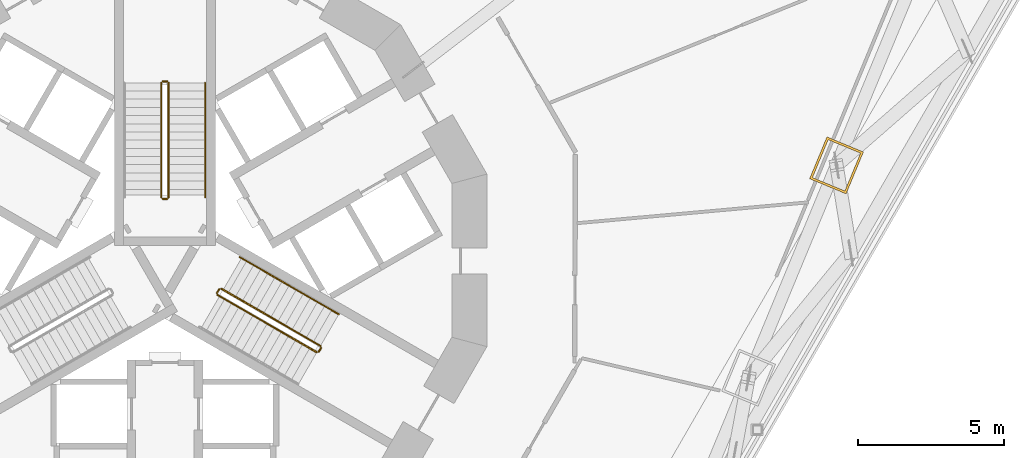
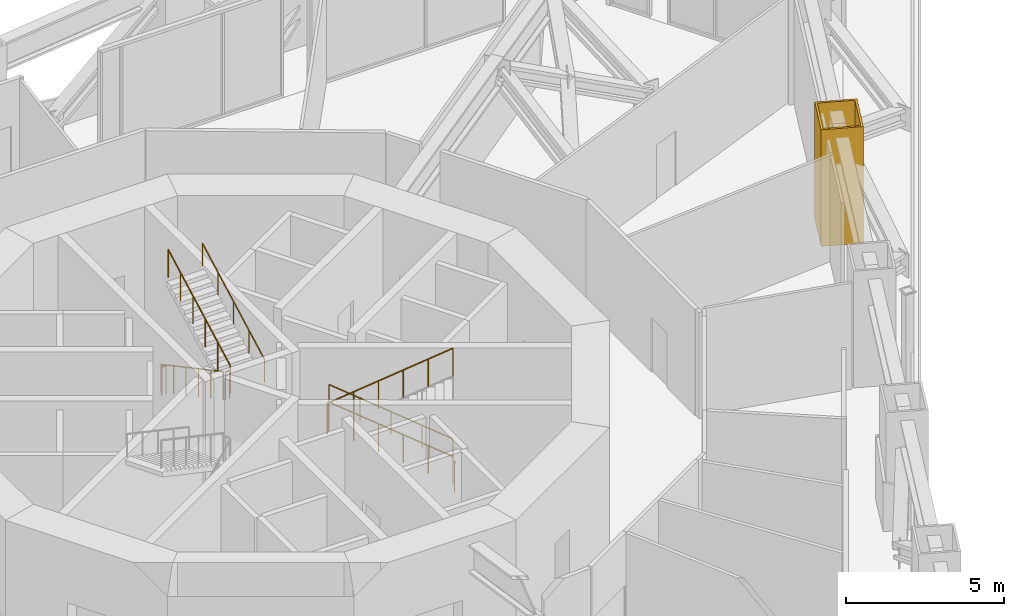
# One storey, part 26 of 28: 11 railings, 1 covering.
"""IFC4 building model written with IfcOpenShell, lengths in metres."""

from ifc_helpers import new_model, si_unit, direction, frame, origin, origin_2d, place, context, subcontext, project, spatial, polyline, circle, outline, extrude, material, layer, layer_set, type_object, element, save


model = new_model("IFC4")

# Units and contexts
model_context = context("Model", 3, precision=1e-05, world=origin(), true_north=direction((0.0, 1.0)))
body_context = subcontext(model_context, "Body", "Model", "MODEL_VIEW")
ifc_project = project(units=[si_unit("LENGTHUNIT", "METRE"), si_unit("AREAUNIT", "SQUARE_METRE"), si_unit("VOLUMEUNIT", "CUBIC_METRE"), si_unit("PLANEANGLEUNIT", "RADIAN"), si_unit("MASSUNIT", "GRAM", prefix="KILO")], contexts=[model_context])

# Site, building, storey
site_placement = place(None, origin())
site = spatial("IfcSite", under=ifc_project, at=site_placement, CompositionType="ELEMENT")
building_placement = place(site_placement, origin())
building = spatial("IfcBuilding", under=site, at=building_placement, Name="Trine Commons Tower", CompositionType="ELEMENT")
storey_placement = place(building_placement, frame((0.0, 0.0, 45.89990234375)))
storey = spatial("IfcBuildingStorey", under=building, at=storey_placement, Name="L10", CompositionType="ELEMENT", Elevation=45.89990234375)

# Covering
ifc_material_1 = material(Name="Limestone, honed", Category="masonry")
ifc_layer = layer(ifc_material_1, 0.074951171875)
ifc_layer_set = layer_set([ifc_layer], Name="Limestone, honed")
covering_type = type_object("IfcCoveringType", Name="Limestone column cladding 75", PredefinedType="CLADDING", material=ifc_layer_set)
covering_placement = place(storey_placement, origin())
element("IfcCovering", 1, at=covering_placement, inside=storey, type_object=covering_type, Name="Limestone pier cladding 2-19", PredefinedType="CLADDING", context=body_context, shape_type="SweptSolid", body=[
    extrude(outline(polyline([(103.888427734375, 66.206298828125), (102.641357421875, 66.722900390625), (102.048095703125, 65.290771484375), (103.29541015625, 64.774169921875), (103.888427734375, 66.206298828125)]), holes=[polyline([(103.79052734375, 66.16552734375), (102.681884765625, 66.624755859375), (102.14599609375, 65.331298828125), (103.254638671875, 64.872314453125), (103.79052734375, 66.16552734375)])]), origin(), (0.0, 0.0, 1.0), 4.5),
])

# Railings
ifc_material_2 = material(Name="Stainless steel balustrade", Category="steel")
railing_type_1 = type_object("IfcRailingType", Name="Stair guard, steel balustrade 1100", PredefinedType="GUARDRAIL", material=ifc_material_2)
railing_1_placement = place(storey_placement, frame((79.875, 68.570556640625, 0.150146484375)))
element("IfcRailing", 2, at=railing_1_placement, inside=storey, type_object=railing_type_1, Name="L10 ST1A stair guard 1", PredefinedType="GUARDRAIL", context=body_context, shape_type="SweptSolid", body=[
    extrude(circle(Radius=0.02392578125, at=origin_2d()), frame((0.0, 0.0, 1.076171875), z_axis=(0.0, -0.881489763865, 0.472203130232), x_axis=(1.0, 0.0, 0.0)), (0.0, 0.0, 1.0), 4.447021484375),
    extrude(circle(Radius=0.02099609375, at=origin_2d()), origin(), (0.0, 0.0, 1.0), 1.052001953125),
    extrude(circle(Radius=0.02099609375, at=origin_2d()), frame((0.0, -0.783935546875, 0.419921875)), (0.0, 0.0, 1.0), 1.052001953125),
    extrude(circle(Radius=0.02099609375, at=origin_2d()), frame((0.0, -1.56787109375, 0.83984375)), (0.0, 0.0, 1.0), 1.052001953125),
    extrude(circle(Radius=0.02099609375, at=origin_2d()), frame((0.0, -2.35205078125, 1.260009765625)), (0.0, 0.0, 1.0), 1.052001953125),
    extrude(circle(Radius=0.02099609375, at=origin_2d()), frame((0.0, -3.135986328125, 1.679931640625)), (0.0, 0.0, 1.0), 1.052001953125),
    extrude(circle(Radius=0.02099609375, at=origin_2d()), frame((0.0, -3.919921875, 2.099853515625)), (0.0, 0.0, 1.0), 1.052001953125),
])
railing_2_placement = place(storey_placement, frame((79.925048828125, 64.6005859375, 2.25)))
element("IfcRailing", 3, at=railing_2_placement, inside=storey, type_object=railing_type_1, Name="L10 ST1A stair guard 2", PredefinedType="GUARDRAIL", context=body_context, shape_type="SweptSolid", body=[
    extrude(circle(Radius=0.02392578125, at=origin_2d()), frame((0.0, 0.0, 1.076171875), z_axis=(1.0, 0.0, 0.0), x_axis=(0.0, 1.0, 0.0)), (0.0, 0.0, 1.0), 0.14990234375),
    extrude(circle(Radius=0.02099609375, at=origin_2d()), origin(), (0.0, 0.0, 1.0), 1.052001953125),
    extrude(circle(Radius=0.02099609375, at=origin_2d()), frame((0.14990234375, 0.0, 0.0)), (0.0, 0.0, 1.0), 1.052001953125),
])
railing_3_placement = place(storey_placement, frame((80.125, 64.650634765625, 2.400146484375)))
element("IfcRailing", 4, at=railing_3_placement, inside=storey, type_object=railing_type_1, Name="L10 ST1A stair guard 3", PredefinedType="GUARDRAIL", context=body_context, shape_type="SweptSolid", body=[
    extrude(circle(Radius=0.02392578125, at=origin_2d()), frame((0.0, 0.0, 1.076171875), z_axis=(0.0, 0.881489763865, 0.472203130232), x_axis=(-1.0, 0.0, 0.0)), (0.0, 0.0, 1.0), 4.447021484375),
    extrude(circle(Radius=0.02099609375, at=origin_2d()), origin(), (0.0, 0.0, 1.0), 1.052001953125),
    extrude(circle(Radius=0.02099609375, at=origin_2d()), frame((0.0, 0.783935546875, 0.419921875)), (0.0, 0.0, 1.0), 1.052001953125),
    extrude(circle(Radius=0.02099609375, at=origin_2d()), frame((0.0, 1.56787109375, 0.83984375)), (0.0, 0.0, 1.0), 1.052001953125),
    extrude(circle(Radius=0.02099609375, at=origin_2d()), frame((0.0, 2.35205078125, 1.260009765625)), (0.0, 0.0, 1.0), 1.052001953125),
    extrude(circle(Radius=0.02099609375, at=origin_2d()), frame((0.0, 3.135986328125, 1.679931640625)), (0.0, 0.0, 1.0), 1.052001953125),
    extrude(circle(Radius=0.02099609375, at=origin_2d()), frame((0.0, 3.919921875, 2.099853515625)), (0.0, 0.0, 1.0), 1.052001953125),
])
railing_4_placement = place(storey_placement, frame((79.925048828125, 68.62060546875, 0.0)))
element("IfcRailing", 5, at=railing_4_placement, inside=storey, type_object=railing_type_1, Name="L10 ST1A stair guard 4", PredefinedType="GUARDRAIL", context=body_context, shape_type="SweptSolid", body=[
    extrude(circle(Radius=0.02392578125, at=origin_2d()), frame((0.0, 0.0, 1.076171875), z_axis=(1.0, 0.0, 0.0), x_axis=(0.0, 1.0, 0.0)), (0.0, 0.0, 1.0), 0.14990234375),
    extrude(circle(Radius=0.02099609375, at=origin_2d()), origin(), (0.0, 0.0, 1.0), 1.052001953125),
    extrude(circle(Radius=0.02099609375, at=origin_2d()), frame((0.14990234375, 0.0, 0.0)), (0.0, 0.0, 1.0), 1.052001953125),
])
railing_5_placement = place(storey_placement, frame((85.31982421875, 59.572998046875, 0.150146484375)))
element("IfcRailing", 6, at=railing_5_placement, inside=storey, type_object=railing_type_1, Name="L10 ST3A stair guard 1", PredefinedType="GUARDRAIL", context=body_context, shape_type="SweptSolid", body=[
    extrude(circle(Radius=0.02392578125, at=origin_2d()), frame((0.0, 0.0, 1.076171875), z_axis=(-0.763394730363, 0.440743106462, 0.472201228037), x_axis=(-0.499997407846, -0.86602690036, 0.0)), (0.0, 0.0, 1.0), 4.447021484375),
    extrude(circle(Radius=0.02099609375, at=origin_2d()), origin(), (0.0, 0.0, 1.0), 1.052001953125),
    extrude(circle(Radius=0.02099609375, at=origin_2d()), frame((-0.678955078125, 0.39208984375, 0.419921875)), (0.0, 0.0, 1.0), 1.052001953125),
    extrude(circle(Radius=0.02099609375, at=origin_2d()), frame((-1.35791015625, 0.783935546875, 0.83984375)), (0.0, 0.0, 1.0), 1.052001953125),
    extrude(circle(Radius=0.02099609375, at=origin_2d()), frame((-2.036865234375, 1.176025390625, 1.260009765625)), (0.0, 0.0, 1.0), 1.052001953125),
    extrude(circle(Radius=0.02099609375, at=origin_2d()), frame((-2.7158203125, 1.56787109375, 1.679931640625)), (0.0, 0.0, 1.0), 1.052001953125),
    extrude(circle(Radius=0.02099609375, at=origin_2d()), frame((-3.394775390625, 1.9599609375, 2.099853515625)), (0.0, 0.0, 1.0), 1.052001953125),
])
railing_6_placement = place(storey_placement, frame((81.856689453125, 61.5146484375, 2.25)))
element("IfcRailing", 7, at=railing_6_placement, inside=storey, type_object=railing_type_1, Name="L10 ST3A stair guard 2", PredefinedType="GUARDRAIL", context=body_context, shape_type="SweptSolid", body=[
    extrude(circle(Radius=0.02392578125, at=origin_2d()), frame((0.0, 0.0, 1.076171875), z_axis=(-0.499816412211, -0.866131372301, 0.0), x_axis=(0.866131372301, -0.499816412211, 0.0)), (0.0, 0.0, 1.0), 0.14990234375),
    extrude(circle(Radius=0.02099609375, at=origin_2d()), origin(), (0.0, 0.0, 1.0), 1.052001953125),
    extrude(circle(Radius=0.02099609375, at=origin_2d()), frame((-0.074951171875, -0.1298828125, 0.0)), (0.0, 0.0, 1.0), 1.052001953125),
])
railing_7_placement = place(storey_placement, frame((81.800048828125, 61.31640625, 2.400146484375)))
element("IfcRailing", 8, at=railing_7_placement, inside=storey, type_object=railing_type_1, Name="L10 ST3A stair guard 3", PredefinedType="GUARDRAIL", context=body_context, shape_type="SweptSolid", body=[
    extrude(circle(Radius=0.02392578125, at=origin_2d()), frame((0.0, 0.0, 1.076171875), z_axis=(0.763394730363, -0.440743106462, 0.472201228037), x_axis=(0.499997407846, 0.86602690036, 0.0)), (0.0, 0.0, 1.0), 4.447021484375),
    extrude(circle(Radius=0.02099609375, at=origin_2d()), origin(), (0.0, 0.0, 1.0), 1.052001953125),
    extrude(circle(Radius=0.02099609375, at=origin_2d()), frame((0.678955078125, -0.39208984375, 0.419921875)), (0.0, 0.0, 1.0), 1.052001953125),
    extrude(circle(Radius=0.02099609375, at=origin_2d()), frame((1.35791015625, -0.783935546875, 0.83984375)), (0.0, 0.0, 1.0), 1.052001953125),
    extrude(circle(Radius=0.02099609375, at=origin_2d()), frame((2.036865234375, -1.176025390625, 1.260009765625)), (0.0, 0.0, 1.0), 1.052001953125),
    extrude(circle(Radius=0.02099609375, at=origin_2d()), frame((2.7158203125, -1.56787109375, 1.679931640625)), (0.0, 0.0, 1.0), 1.052001953125),
    extrude(circle(Radius=0.02099609375, at=origin_2d()), frame((3.394775390625, -1.9599609375, 2.099853515625)), (0.0, 0.0, 1.0), 1.052001953125),
])
railing_8_placement = place(storey_placement, frame((85.338134765625, 59.504638671875, 0.0)))
element("IfcRailing", 9, at=railing_8_placement, inside=storey, type_object=railing_type_1, Name="L10 ST3A stair guard 4", PredefinedType="GUARDRAIL", context=body_context, shape_type="SweptSolid", body=[
    extrude(circle(Radius=0.02392578125, at=origin_2d()), frame((0.0, 0.0, 1.076171875), z_axis=(-0.499816412211, -0.866131372301, 0.0), x_axis=(0.866131372301, -0.499816412211, 0.0)), (0.0, 0.0, 1.0), 0.14990234375),
    extrude(circle(Radius=0.02099609375, at=origin_2d()), origin(), (0.0, 0.0, 1.0), 1.052001953125),
    extrude(circle(Radius=0.02099609375, at=origin_2d()), frame((-0.074951171875, -0.1298828125, 0.0)), (0.0, 0.0, 1.0), 1.052001953125),
])
ifc_material_3 = material(Name="Stainless steel handrail", Category="steel")
railing_type_2 = type_object("IfcRailingType", Name="Stair handrail, steel 900", PredefinedType="HANDRAIL", material=ifc_material_3)
railing_9_placement = place(storey_placement, frame((81.375, 64.650634765625, 2.400146484375)))
element("IfcRailing", 10, at=railing_9_placement, inside=storey, type_object=railing_type_2, Name="L10 ST1A stair handrail 2", PredefinedType="HANDRAIL", context=body_context, shape_type="SweptSolid", body=[
    extrude(circle(Radius=0.02099609375, at=origin_2d()), frame((0.0, 0.0, 0.87890625), z_axis=(0.0, 0.881489763865, 0.472203130232), x_axis=(-1.0, 0.0, 0.0)), (0.0, 0.0, 1.0), 4.447021484375),
    extrude(circle(Radius=0.01513671875, at=origin_2d()), origin(), (0.0, 0.0, 1.0), 0.85791015625),
    extrude(circle(Radius=0.01513671875, at=origin_2d()), frame((0.0, 0.97998046875, 0.52490234375)), (0.0, 0.0, 1.0), 0.85791015625),
    extrude(circle(Radius=0.01513671875, at=origin_2d()), frame((0.0, 1.9599609375, 1.0498046875)), (0.0, 0.0, 1.0), 0.85791015625),
    extrude(circle(Radius=0.01513671875, at=origin_2d()), frame((0.0, 2.93994140625, 1.574951171875)), (0.0, 0.0, 1.0), 0.85791015625),
    extrude(circle(Radius=0.01513671875, at=origin_2d()), frame((0.0, 3.919921875, 2.099853515625)), (0.0, 0.0, 1.0), 0.85791015625),
])
railing_10_placement = place(storey_placement, frame((85.94482421875, 60.655517578125, 0.150146484375)))
element("IfcRailing", 11, at=railing_10_placement, inside=storey, type_object=railing_type_2, Name="L10 ST3A stair handrail 1", PredefinedType="HANDRAIL", context=body_context, shape_type="SweptSolid", body=[
    extrude(circle(Radius=0.02099609375, at=origin_2d()), frame((0.0, 0.0, 0.87890625), z_axis=(-0.763397845365, 0.440713210311, 0.472224095054), x_axis=(-0.499970440388, -0.866042469362, 0.0)), (0.0, 0.0, 1.0), 2.2236328125),
    extrude(circle(Radius=0.01513671875, at=origin_2d()), origin(), (0.0, 0.0, 1.0), 0.85791015625),
    extrude(circle(Radius=0.01513671875, at=origin_2d()), frame((-0.8486328125, 0.489990234375, 0.52490234375)), (0.0, 0.0, 1.0), 0.85791015625),
    extrude(circle(Radius=0.01513671875, at=origin_2d()), frame((-1.697509765625, 0.97998046875, 1.050048828125)), (0.0, 0.0, 1.0), 0.85791015625),
])
railing_11_placement = place(storey_placement, frame((84.247314453125, 61.635498046875, 1.2001953125)))
element("IfcRailing", 12, at=railing_11_placement, inside=storey, type_object=railing_type_2, Name="L10 ST3A stair handrail 2", PredefinedType="HANDRAIL", context=body_context, shape_type="SweptSolid", body=[
    extrude(circle(Radius=0.02099609375, at=origin_2d()), frame((0.0, 0.0, 0.87890625), z_axis=(-0.76339161385, 0.440773006041, 0.472178357243), x_axis=(-0.500024377727, -0.866011328839, 0.0)), (0.0, 0.0, 1.0), 2.223388671875),
    extrude(circle(Radius=0.01513671875, at=origin_2d()), origin(), (0.0, 0.0, 1.0), 0.85791015625),
    extrude(circle(Radius=0.01513671875, at=origin_2d()), frame((-0.8486328125, 0.489990234375, 0.52490234375)), (0.0, 0.0, 1.0), 0.85791015625),
    extrude(circle(Radius=0.01513671875, at=origin_2d()), frame((-1.697265625, 0.97998046875, 1.0498046875)), (0.0, 0.0, 1.0), 0.85791015625),
])

save(model, "model.ifc")
